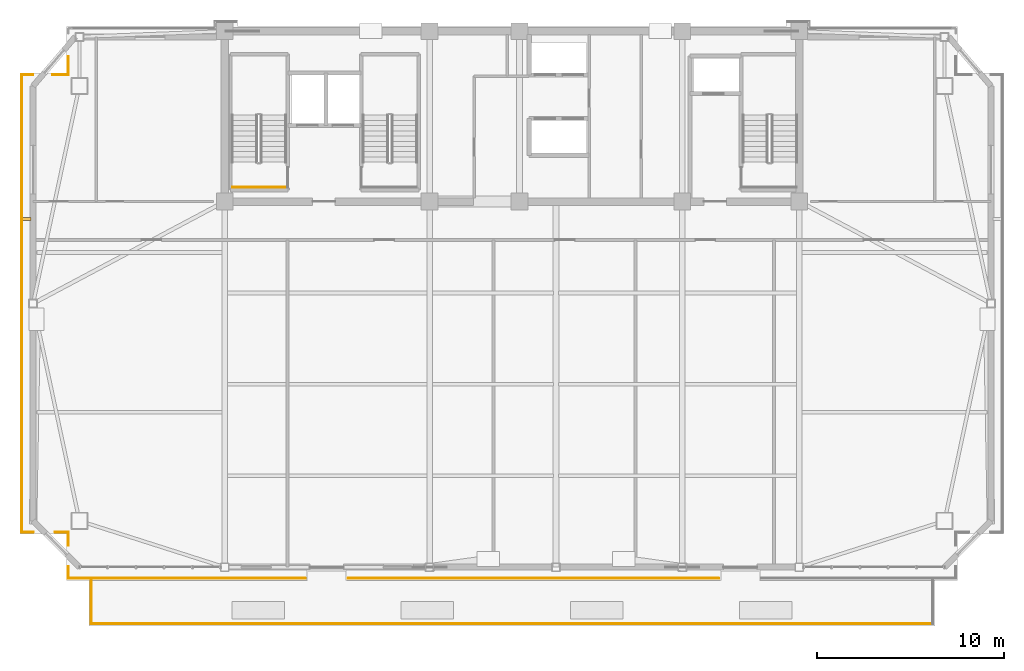
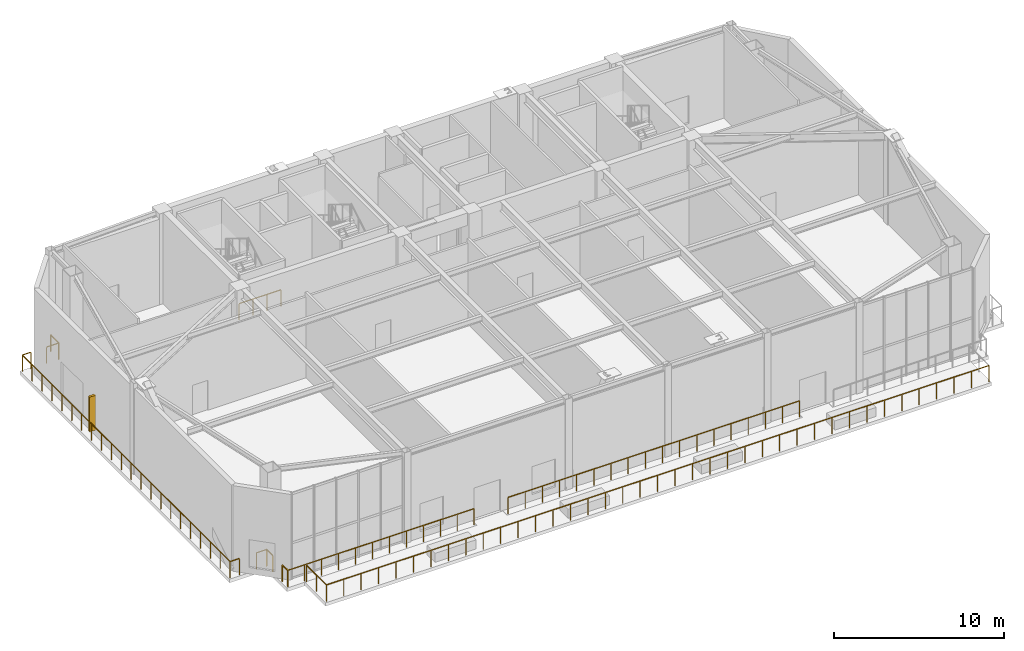
# One storey, part 12 of 15: 13 railings, 1 shading device.
"""IFC4 building model written with IfcOpenShell, lengths in metres."""

from ifc_helpers import new_model, si_unit, direction, frame, origin, origin_2d, place, context, subcontext, project, spatial, rectangle, extrude, source, transform, mapped, material, type_object, element, save


model = new_model("IFC4")

# Units and contexts
model_context = context("Model", 3, precision=1e-05, world=origin(), true_north=direction((0.0, 1.0)))
body_context = subcontext(model_context, "Body", "Model", "MODEL_VIEW")
ifc_project = project(units=[si_unit("LENGTHUNIT", "METRE"), si_unit("AREAUNIT", "SQUARE_METRE"), si_unit("VOLUMEUNIT", "CUBIC_METRE"), si_unit("PLANEANGLEUNIT", "RADIAN"), si_unit("MASSUNIT", "GRAM", prefix="KILO")], contexts=[model_context])

# Site, building, storey
site_placement = place(None, origin())
site = spatial("IfcSite", under=ifc_project, at=site_placement, CompositionType="ELEMENT")
building_placement = place(site_placement, origin())
building = spatial("IfcBuilding", under=site, at=building_placement, Name="Giltprow Tower", CompositionType="ELEMENT")
storey_placement = place(building_placement, frame((0.0, 0.0, 279.10009765625)))
storey = spatial("IfcBuildingStorey", under=building, at=storey_placement, Name="L72", CompositionType="ELEMENT", Elevation=279.10009765625)

# Railings
ifc_material = material(Name="Anodized bronze", Category="metal")
railing_type_1 = type_object("IfcRailingType", Name="RAIL-BALC-GUARD-1200", PredefinedType="BALUSTRADE", material=ifc_material)
railing_1_placement = place(storey_placement, frame((46.25, 17.30810546875, 0.0)))
element("IfcRailing", 1, at=railing_1_placement, inside=storey, type_object=railing_type_1, Name="L72 Corner Apron Edge Balustrade 7", PredefinedType="BALUSTRADE", context=body_context, shape_type="SweptSolid", body=[
    extrude(rectangle(XDim=0.048095703125, YDim=0.048095703125, at=origin_2d()), frame((0.0, 0.0, 1.17578125), z_axis=(-1.0, 0.0, 0.0), x_axis=(0.0, -1.0, 0.0)), (0.0, 0.0, 1.0), 19.800048828125),
    extrude(rectangle(XDim=0.0419921875, YDim=0.0419921875, at=origin_2d()), origin(), (0.0, 0.0, 1.0), 1.15185546875),
    extrude(rectangle(XDim=0.0419921875, YDim=0.0419921875, at=origin_2d()), frame((-1.164794921875, 0.0, 0.0)), (0.0, 0.0, 1.0), 1.15185546875),
    extrude(rectangle(XDim=0.0419921875, YDim=0.0419921875, at=origin_2d()), frame((-2.329345703125, 0.0, 0.0)), (0.0, 0.0, 1.0), 1.15185546875),
    extrude(rectangle(XDim=0.0419921875, YDim=0.0419921875, at=origin_2d()), frame((-3.494140625, 0.0, 0.0)), (0.0, 0.0, 1.0), 1.15185546875),
    extrude(rectangle(XDim=0.0419921875, YDim=0.0419921875, at=origin_2d()), frame((-4.658935546875, 0.0, 0.0)), (0.0, 0.0, 1.0), 1.15185546875),
    extrude(rectangle(XDim=0.0419921875, YDim=0.0419921875, at=origin_2d()), frame((-5.823486328125, 0.0, 0.0)), (0.0, 0.0, 1.0), 1.15185546875),
    extrude(rectangle(XDim=0.0419921875, YDim=0.0419921875, at=origin_2d()), frame((-6.98828125, 0.0, 0.0)), (0.0, 0.0, 1.0), 1.15185546875),
    extrude(rectangle(XDim=0.0419921875, YDim=0.0419921875, at=origin_2d()), frame((-8.153076171875, 0.0, 0.0)), (0.0, 0.0, 1.0), 1.15185546875),
    extrude(rectangle(XDim=0.0419921875, YDim=0.0419921875, at=origin_2d()), frame((-9.317626953125, 0.0, 0.0)), (0.0, 0.0, 1.0), 1.15185546875),
    extrude(rectangle(XDim=0.0419921875, YDim=0.0419921875, at=origin_2d()), frame((-10.482421875, 0.0, 0.0)), (0.0, 0.0, 1.0), 1.15185546875),
    extrude(rectangle(XDim=0.0419921875, YDim=0.0419921875, at=origin_2d()), frame((-11.64697265625, 0.0, 0.0)), (0.0, 0.0, 1.0), 1.15185546875),
    extrude(rectangle(XDim=0.0419921875, YDim=0.0419921875, at=origin_2d()), frame((-12.811767578125, 0.0, 0.0)), (0.0, 0.0, 1.0), 1.15185546875),
    extrude(rectangle(XDim=0.0419921875, YDim=0.0419921875, at=origin_2d()), frame((-13.9765625, 0.0, 0.0)), (0.0, 0.0, 1.0), 1.15185546875),
    extrude(rectangle(XDim=0.0419921875, YDim=0.0419921875, at=origin_2d()), frame((-15.14111328125, 0.0, 0.0)), (0.0, 0.0, 1.0), 1.15185546875),
    extrude(rectangle(XDim=0.0419921875, YDim=0.0419921875, at=origin_2d()), frame((-16.305908203125, 0.0, 0.0)), (0.0, 0.0, 1.0), 1.15185546875),
    extrude(rectangle(XDim=0.0419921875, YDim=0.0419921875, at=origin_2d()), frame((-17.470703125, 0.0, 0.0)), (0.0, 0.0, 1.0), 1.15185546875),
    extrude(rectangle(XDim=0.0419921875, YDim=0.0419921875, at=origin_2d()), frame((-18.63525390625, 0.0, 0.0)), (0.0, 0.0, 1.0), 1.15185546875),
    extrude(rectangle(XDim=0.0419921875, YDim=0.0419921875, at=origin_2d()), frame((-19.800048828125, 0.0, 0.0)), (0.0, 0.0, 1.0), 1.15185546875),
])
railing_2_placement = place(storey_placement, frame((24.14990234375, 17.30810546875, 0.0)))
element("IfcRailing", 2, at=railing_2_placement, inside=storey, type_object=railing_type_1, Name="L72 Corner Apron Edge Balustrade 8", PredefinedType="BALUSTRADE", context=body_context, shape_type="SweptSolid", body=[
    extrude(rectangle(XDim=0.048095703125, YDim=0.048095703125, at=origin_2d()), frame((0.0, 0.0, 1.17578125), z_axis=(-1.0, 0.0, 0.0), x_axis=(0.0, -1.0, 0.0)), (0.0, 0.0, 1.0), 12.663818359375),
    extrude(rectangle(XDim=0.0419921875, YDim=0.0419921875, at=origin_2d()), origin(), (0.0, 0.0, 1.0), 1.15185546875),
    extrude(rectangle(XDim=0.0419921875, YDim=0.0419921875, at=origin_2d()), frame((-1.1513671875, 0.0, 0.0)), (0.0, 0.0, 1.0), 1.15185546875),
    extrude(rectangle(XDim=0.0419921875, YDim=0.0419921875, at=origin_2d()), frame((-2.302490234375, 0.0, 0.0)), (0.0, 0.0, 1.0), 1.15185546875),
    extrude(rectangle(XDim=0.0419921875, YDim=0.0419921875, at=origin_2d()), frame((-3.453857421875, 0.0, 0.0)), (0.0, 0.0, 1.0), 1.15185546875),
    extrude(rectangle(XDim=0.0419921875, YDim=0.0419921875, at=origin_2d()), frame((-4.60498046875, 0.0, 0.0)), (0.0, 0.0, 1.0), 1.15185546875),
    extrude(rectangle(XDim=0.0419921875, YDim=0.0419921875, at=origin_2d()), frame((-5.75634765625, 0.0, 0.0)), (0.0, 0.0, 1.0), 1.15185546875),
    extrude(rectangle(XDim=0.0419921875, YDim=0.0419921875, at=origin_2d()), frame((-6.907470703125, 0.0, 0.0)), (0.0, 0.0, 1.0), 1.15185546875),
    extrude(rectangle(XDim=0.0419921875, YDim=0.0419921875, at=origin_2d()), frame((-8.058837890625, 0.0, 0.0)), (0.0, 0.0, 1.0), 1.15185546875),
    extrude(rectangle(XDim=0.0419921875, YDim=0.0419921875, at=origin_2d()), frame((-9.2099609375, 0.0, 0.0)), (0.0, 0.0, 1.0), 1.15185546875),
    extrude(rectangle(XDim=0.0419921875, YDim=0.0419921875, at=origin_2d()), frame((-10.361328125, 0.0, 0.0)), (0.0, 0.0, 1.0), 1.15185546875),
    extrude(rectangle(XDim=0.0419921875, YDim=0.0419921875, at=origin_2d()), frame((-11.512451171875, 0.0, 0.0)), (0.0, 0.0, 1.0), 1.15185546875),
    extrude(rectangle(XDim=0.0419921875, YDim=0.0419921875, at=origin_2d()), frame((-12.663818359375, 0.0, 0.0)), (0.0, 0.0, 1.0), 1.15185546875),
])
railing_3_placement = place(storey_placement, frame((11.486083984375, 17.30810546875, 0.0)))
element("IfcRailing", 3, at=railing_3_placement, inside=storey, type_object=railing_type_1, Name="L72 Corner Apron Edge Balustrade 9", PredefinedType="BALUSTRADE", context=body_context, shape_type="SweptSolid", body=[
    extrude(rectangle(XDim=0.048095703125, YDim=0.048095703125, at=origin_2d()), frame((0.0, 0.0, 1.17578125), z_axis=(0.0, 1.0, 0.0), x_axis=(-1.0, 0.0, 0.0)), (0.0, 0.0, 1.0), 0.619873046875),
    extrude(rectangle(XDim=0.0419921875, YDim=0.0419921875, at=origin_2d()), origin(), (0.0, 0.0, 1.0), 1.15185546875),
    extrude(rectangle(XDim=0.0419921875, YDim=0.0419921875, at=origin_2d()), frame((0.0, 0.619873046875, 0.0)), (0.0, 0.0, 1.0), 1.15185546875),
])
railing_4_placement = place(storey_placement, frame((11.486083984375, 19.087890625, 0.0)))
element("IfcRailing", 4, at=railing_4_placement, inside=storey, type_object=railing_type_1, Name="L72 Corner Apron Edge Balustrade 10", PredefinedType="BALUSTRADE", context=body_context, shape_type="SweptSolid", body=[
    extrude(rectangle(XDim=0.048095703125, YDim=0.048095703125, at=origin_2d()), frame((0.0, 0.0, 1.17578125), z_axis=(0.0, 1.0, 0.0), x_axis=(-1.0, 0.0, 0.0)), (0.0, 0.0, 1.0), 0.697021484375),
    extrude(rectangle(XDim=0.0419921875, YDim=0.0419921875, at=origin_2d()), origin(), (0.0, 0.0, 1.0), 1.15185546875),
    extrude(rectangle(XDim=0.0419921875, YDim=0.0419921875, at=origin_2d()), frame((0.0, 0.697021484375, 0.0)), (0.0, 0.0, 1.0), 1.15185546875),
])
railing_5_placement = place(storey_placement, frame((11.486083984375, 19.784912109375, 0.0)))
element("IfcRailing", 5, at=railing_5_placement, inside=storey, type_object=railing_type_1, Name="L72 Corner Apron Edge Balustrade 11", PredefinedType="BALUSTRADE", context=body_context, shape_type="SweptSolid", body=[
    extrude(rectangle(XDim=0.048095703125, YDim=0.048095703125, at=origin_2d()), frame((0.0, 0.0, 1.17578125), z_axis=(-1.0, 0.0, 0.0), x_axis=(0.0, -1.0, 0.0)), (0.0, 0.0, 1.0), 0.697021484375),
    extrude(rectangle(XDim=0.0419921875, YDim=0.0419921875, at=origin_2d()), origin(), (0.0, 0.0, 1.0), 1.15185546875),
    extrude(rectangle(XDim=0.0419921875, YDim=0.0419921875, at=origin_2d()), frame((-0.697021484375, 0.0, 0.0)), (0.0, 0.0, 1.0), 1.15185546875),
])
railing_6_placement = place(storey_placement, frame((9.62890625, 19.784912109375, 0.0)))
element("IfcRailing", 6, at=railing_6_placement, inside=storey, type_object=railing_type_1, Name="L72 Corner Apron Edge Balustrade 12", PredefinedType="BALUSTRADE", context=body_context, shape_type="SweptSolid", body=[
    extrude(rectangle(XDim=0.048095703125, YDim=0.048095703125, at=origin_2d()), frame((0.0, 0.0, 1.17578125), z_axis=(-1.0, 0.0, 0.0), x_axis=(0.0, -1.0, 0.0)), (0.0, 0.0, 1.0), 0.619873046875),
    extrude(rectangle(XDim=0.0419921875, YDim=0.0419921875, at=origin_2d()), origin(), (0.0, 0.0, 1.0), 1.15185546875),
    extrude(rectangle(XDim=0.0419921875, YDim=0.0419921875, at=origin_2d()), frame((-0.619873046875, 0.0, 0.0)), (0.0, 0.0, 1.0), 1.15185546875),
])
railing_7_placement = place(storey_placement, frame((9.009033203125, 19.784912109375, 0.0)))
element("IfcRailing", 7, at=railing_7_placement, inside=storey, type_object=railing_type_1, Name="L72 Corner Apron Edge Balustrade 13", PredefinedType="BALUSTRADE", context=body_context, shape_type="SweptSolid", body=[
    extrude(rectangle(XDim=0.048095703125, YDim=0.048095703125, at=origin_2d()), frame((0.0, 0.0, 1.17578125), z_axis=(0.0, 1.0, 0.0), x_axis=(-1.0, 0.0, 0.0)), (0.0, 0.0, 1.0), 24.43701171875),
    extrude(rectangle(XDim=0.0419921875, YDim=0.0419921875, at=origin_2d()), origin(), (0.0, 0.0, 1.0), 1.15185546875),
    extrude(rectangle(XDim=0.0419921875, YDim=0.0419921875, at=origin_2d()), frame((0.0, 1.16357421875, 0.0)), (0.0, 0.0, 1.0), 1.15185546875),
    extrude(rectangle(XDim=0.0419921875, YDim=0.0419921875, at=origin_2d()), frame((0.0, 2.327392578125, 0.0)), (0.0, 0.0, 1.0), 1.15185546875),
    extrude(rectangle(XDim=0.0419921875, YDim=0.0419921875, at=origin_2d()), frame((0.0, 3.490966796875, 0.0)), (0.0, 0.0, 1.0), 1.15185546875),
    extrude(rectangle(XDim=0.0419921875, YDim=0.0419921875, at=origin_2d()), frame((0.0, 4.65478515625, 0.0)), (0.0, 0.0, 1.0), 1.15185546875),
    extrude(rectangle(XDim=0.0419921875, YDim=0.0419921875, at=origin_2d()), frame((0.0, 5.818359375, 0.0)), (0.0, 0.0, 1.0), 1.15185546875),
    extrude(rectangle(XDim=0.0419921875, YDim=0.0419921875, at=origin_2d()), frame((0.0, 6.98193359375, 0.0)), (0.0, 0.0, 1.0), 1.15185546875),
    extrude(rectangle(XDim=0.0419921875, YDim=0.0419921875, at=origin_2d()), frame((0.0, 8.145751953125, 0.0)), (0.0, 0.0, 1.0), 1.15185546875),
    extrude(rectangle(XDim=0.0419921875, YDim=0.0419921875, at=origin_2d()), frame((0.0, 9.309326171875, 0.0)), (0.0, 0.0, 1.0), 1.15185546875),
    extrude(rectangle(XDim=0.0419921875, YDim=0.0419921875, at=origin_2d()), frame((0.0, 10.472900390625, 0.0)), (0.0, 0.0, 1.0), 1.15185546875),
    extrude(rectangle(XDim=0.0419921875, YDim=0.0419921875, at=origin_2d()), frame((0.0, 11.63671875, 0.0)), (0.0, 0.0, 1.0), 1.15185546875),
    extrude(rectangle(XDim=0.0419921875, YDim=0.0419921875, at=origin_2d()), frame((0.0, 12.80029296875, 0.0)), (0.0, 0.0, 1.0), 1.15185546875),
    extrude(rectangle(XDim=0.0419921875, YDim=0.0419921875, at=origin_2d()), frame((0.0, 13.964111328125, 0.0)), (0.0, 0.0, 1.0), 1.15185546875),
    extrude(rectangle(XDim=0.0419921875, YDim=0.0419921875, at=origin_2d()), frame((0.0, 15.127685546875, 0.0)), (0.0, 0.0, 1.0), 1.15185546875),
    extrude(rectangle(XDim=0.0419921875, YDim=0.0419921875, at=origin_2d()), frame((0.0, 16.291259765625, 0.0)), (0.0, 0.0, 1.0), 1.15185546875),
    extrude(rectangle(XDim=0.0419921875, YDim=0.0419921875, at=origin_2d()), frame((0.0, 17.455078125, 0.0)), (0.0, 0.0, 1.0), 1.15185546875),
    extrude(rectangle(XDim=0.0419921875, YDim=0.0419921875, at=origin_2d()), frame((0.0, 18.61865234375, 0.0)), (0.0, 0.0, 1.0), 1.15185546875),
    extrude(rectangle(XDim=0.0419921875, YDim=0.0419921875, at=origin_2d()), frame((0.0, 19.7822265625, 0.0)), (0.0, 0.0, 1.0), 1.15185546875),
    extrude(rectangle(XDim=0.0419921875, YDim=0.0419921875, at=origin_2d()), frame((0.0, 20.946044921875, 0.0)), (0.0, 0.0, 1.0), 1.15185546875),
    extrude(rectangle(XDim=0.0419921875, YDim=0.0419921875, at=origin_2d()), frame((0.0, 22.109619140625, 0.0)), (0.0, 0.0, 1.0), 1.15185546875),
    extrude(rectangle(XDim=0.0419921875, YDim=0.0419921875, at=origin_2d()), frame((0.0, 23.2734375, 0.0)), (0.0, 0.0, 1.0), 1.15185546875),
    extrude(rectangle(XDim=0.0419921875, YDim=0.0419921875, at=origin_2d()), frame((0.0, 24.43701171875, 0.0)), (0.0, 0.0, 1.0), 1.15185546875),
])
railing_8_placement = place(storey_placement, frame((9.009033203125, 44.221923828125, 0.0)))
element("IfcRailing", 8, at=railing_8_placement, inside=storey, type_object=railing_type_1, Name="L72 Corner Apron Edge Balustrade 14", PredefinedType="BALUSTRADE", context=body_context, shape_type="SweptSolid", body=[
    extrude(rectangle(XDim=0.048095703125, YDim=0.048095703125, at=origin_2d()), frame((0.0, 0.0, 1.17578125), z_axis=(1.0, 0.0, 0.0), x_axis=(0.0, 1.0, 0.0)), (0.0, 0.0, 1.0), 0.573974609375),
    extrude(rectangle(XDim=0.0419921875, YDim=0.0419921875, at=origin_2d()), origin(), (0.0, 0.0, 1.0), 1.15185546875),
    extrude(rectangle(XDim=0.0419921875, YDim=0.0419921875, at=origin_2d()), frame((0.573974609375, 0.0, 0.0)), (0.0, 0.0, 1.0), 1.15185546875),
])
railing_9_placement = place(storey_placement, frame((10.6630859375, 44.221923828125, 0.0)))
element("IfcRailing", 9, at=railing_9_placement, inside=storey, type_object=railing_type_1, Name="L72 Corner Apron Edge Balustrade 15", PredefinedType="BALUSTRADE", context=body_context, shape_type="SweptSolid", body=[
    extrude(rectangle(XDim=0.048095703125, YDim=0.048095703125, at=origin_2d()), frame((0.0, 0.0, 1.17578125), z_axis=(1.0, 0.0, 0.0), x_axis=(0.0, 1.0, 0.0)), (0.0, 0.0, 1.0), 0.822998046875),
    extrude(rectangle(XDim=0.0419921875, YDim=0.0419921875, at=origin_2d()), origin(), (0.0, 0.0, 1.0), 1.15185546875),
    extrude(rectangle(XDim=0.0419921875, YDim=0.0419921875, at=origin_2d()), frame((0.822998046875, 0.0, 0.0)), (0.0, 0.0, 1.0), 1.15185546875),
])
railing_10_placement = place(storey_placement, frame((11.486083984375, 44.221923828125, 0.0)))
element("IfcRailing", 10, at=railing_10_placement, inside=storey, type_object=railing_type_1, Name="L72 Corner Apron Edge Balustrade 16", PredefinedType="BALUSTRADE", context=body_context, shape_type="SweptSolid", body=[
    extrude(rectangle(XDim=0.048095703125, YDim=0.048095703125, at=origin_2d()), frame((0.0, 0.0, 1.17578125), z_axis=(0.0, 1.0, 0.0), x_axis=(-1.0, 0.0, 0.0)), (0.0, 0.0, 1.0), 0.9599609375),
    extrude(rectangle(XDim=0.0419921875, YDim=0.0419921875, at=origin_2d()), origin(), (0.0, 0.0, 1.0), 1.15185546875),
    extrude(rectangle(XDim=0.0419921875, YDim=0.0419921875, at=origin_2d()), frame((0.0, 0.9599609375, 0.0)), (0.0, 0.0, 1.0), 1.15185546875),
])
railing_type_2 = type_object("IfcRailingType", Name="RAIL-STAIR-GUARD-1200", PredefinedType="GUARDRAIL", material=ifc_material)
railing_11_placement = place(storey_placement, frame((20.260009765625, 38.2099609375, 3.39990234375)))
element("IfcRailing", 11, at=railing_11_placement, inside=storey, type_object=railing_type_2, Name="L72 ST-1 Mid-Landing Guard 2", PredefinedType="GUARDRAIL", context=body_context, shape_type="SweptSolid", body=[
    extrude(rectangle(XDim=0.048095703125, YDim=0.048095703125, at=origin_2d()), frame((0.0, 0.0, 1.17578125), z_axis=(1.0, 0.0, 0.0), x_axis=(0.0, 1.0, 0.0)), (0.0, 0.0, 1.0), 2.840087890625),
    extrude(rectangle(XDim=0.0419921875, YDim=0.0419921875, at=origin_2d()), origin(), (0.0, 0.0, 1.0), 1.15185546875),
    extrude(rectangle(XDim=0.0419921875, YDim=0.0419921875, at=origin_2d()), frame((0.94677734375, 0.0, 0.0)), (0.0, 0.0, 1.0), 1.15185546875),
    extrude(rectangle(XDim=0.0419921875, YDim=0.0419921875, at=origin_2d()), frame((1.893310546875, 0.0, 0.0)), (0.0, 0.0, 1.0), 1.15185546875),
    extrude(rectangle(XDim=0.0419921875, YDim=0.0419921875, at=origin_2d()), frame((2.840087890625, 0.0, 0.0)), (0.0, 0.0, 1.0), 1.15185546875),
])
railing_type_3 = type_object("IfcRailingType", Name="RAIL-TERR-BAL-1200", PredefinedType="BALUSTRADE", material=ifc_material)
railing_12_placement = place(storey_placement, frame((12.7060546875, 17.2080078125, 0.0)))
element("IfcRailing", 12, at=railing_12_placement, inside=storey, type_object=railing_type_3, Name="L72 Sky Garden Guardrail Seg 1", PredefinedType="BALUSTRADE", context=body_context, shape_type="SweptSolid", body=[
    extrude(rectangle(XDim=0.048095703125, YDim=0.048095703125, at=origin_2d()), frame((0.0, 0.0, 1.17578125), z_axis=(0.0, -1.0, 0.0), x_axis=(1.0, 0.0, 0.0)), (0.0, 0.0, 1.0), 2.330078125),
    extrude(rectangle(XDim=0.0419921875, YDim=0.0419921875, at=origin_2d()), origin(), (0.0, 0.0, 1.0), 1.15185546875),
    extrude(rectangle(XDim=0.0419921875, YDim=0.0419921875, at=origin_2d()), frame((0.0, -1.1650390625, 0.0)), (0.0, 0.0, 1.0), 1.15185546875),
    extrude(rectangle(XDim=0.0419921875, YDim=0.0419921875, at=origin_2d()), frame((0.0, -2.330078125, 0.0)), (0.0, 0.0, 1.0), 1.15185546875),
])
railing_13_placement = place(storey_placement, frame((12.7060546875, 14.8779296875, 0.0)))
element("IfcRailing", 13, at=railing_13_placement, inside=storey, type_object=railing_type_3, Name="L72 Sky Garden Guardrail Seg 2", PredefinedType="BALUSTRADE", context=body_context, shape_type="SweptSolid", body=[
    extrude(rectangle(XDim=0.048095703125, YDim=0.048095703125, at=origin_2d()), frame((0.0, 0.0, 1.17578125), z_axis=(1.0, 0.0, 0.0), x_axis=(0.0, 1.0, 0.0)), (0.0, 0.0, 1.0), 44.988037109375),
    extrude(rectangle(XDim=0.0419921875, YDim=0.0419921875, at=origin_2d()), origin(), (0.0, 0.0, 1.0), 1.15185546875),
    extrude(rectangle(XDim=0.0419921875, YDim=0.0419921875, at=origin_2d()), frame((1.183837890625, 0.0, 0.0)), (0.0, 0.0, 1.0), 1.15185546875),
    extrude(rectangle(XDim=0.0419921875, YDim=0.0419921875, at=origin_2d()), frame((2.36767578125, 0.0, 0.0)), (0.0, 0.0, 1.0), 1.15185546875),
    extrude(rectangle(XDim=0.0419921875, YDim=0.0419921875, at=origin_2d()), frame((3.5517578125, 0.0, 0.0)), (0.0, 0.0, 1.0), 1.15185546875),
    extrude(rectangle(XDim=0.0419921875, YDim=0.0419921875, at=origin_2d()), frame((4.735595703125, 0.0, 0.0)), (0.0, 0.0, 1.0), 1.15185546875),
    extrude(rectangle(XDim=0.0419921875, YDim=0.0419921875, at=origin_2d()), frame((5.91943359375, 0.0, 0.0)), (0.0, 0.0, 1.0), 1.15185546875),
    extrude(rectangle(XDim=0.0419921875, YDim=0.0419921875, at=origin_2d()), frame((7.103271484375, 0.0, 0.0)), (0.0, 0.0, 1.0), 1.15185546875),
    extrude(rectangle(XDim=0.0419921875, YDim=0.0419921875, at=origin_2d()), frame((8.287353515625, 0.0, 0.0)), (0.0, 0.0, 1.0), 1.15185546875),
    extrude(rectangle(XDim=0.0419921875, YDim=0.0419921875, at=origin_2d()), frame((9.47119140625, 0.0, 0.0)), (0.0, 0.0, 1.0), 1.15185546875),
    extrude(rectangle(XDim=0.0419921875, YDim=0.0419921875, at=origin_2d()), frame((10.655029296875, 0.0, 0.0)), (0.0, 0.0, 1.0), 1.15185546875),
    extrude(rectangle(XDim=0.0419921875, YDim=0.0419921875, at=origin_2d()), frame((11.8388671875, 0.0, 0.0)), (0.0, 0.0, 1.0), 1.15185546875),
    extrude(rectangle(XDim=0.0419921875, YDim=0.0419921875, at=origin_2d()), frame((13.02294921875, 0.0, 0.0)), (0.0, 0.0, 1.0), 1.15185546875),
    extrude(rectangle(XDim=0.0419921875, YDim=0.0419921875, at=origin_2d()), frame((14.206787109375, 0.0, 0.0)), (0.0, 0.0, 1.0), 1.15185546875),
    extrude(rectangle(XDim=0.0419921875, YDim=0.0419921875, at=origin_2d()), frame((15.390625, 0.0, 0.0)), (0.0, 0.0, 1.0), 1.15185546875),
    extrude(rectangle(XDim=0.0419921875, YDim=0.0419921875, at=origin_2d()), frame((16.574462890625, 0.0, 0.0)), (0.0, 0.0, 1.0), 1.15185546875),
    extrude(rectangle(XDim=0.0419921875, YDim=0.0419921875, at=origin_2d()), frame((17.758544921875, 0.0, 0.0)), (0.0, 0.0, 1.0), 1.15185546875),
    extrude(rectangle(XDim=0.0419921875, YDim=0.0419921875, at=origin_2d()), frame((18.9423828125, 0.0, 0.0)), (0.0, 0.0, 1.0), 1.15185546875),
    extrude(rectangle(XDim=0.0419921875, YDim=0.0419921875, at=origin_2d()), frame((20.126220703125, 0.0, 0.0)), (0.0, 0.0, 1.0), 1.15185546875),
    extrude(rectangle(XDim=0.0419921875, YDim=0.0419921875, at=origin_2d()), frame((21.31005859375, 0.0, 0.0)), (0.0, 0.0, 1.0), 1.15185546875),
    extrude(rectangle(XDim=0.0419921875, YDim=0.0419921875, at=origin_2d()), frame((22.494140625, 0.0, 0.0)), (0.0, 0.0, 1.0), 1.15185546875),
    extrude(rectangle(XDim=0.0419921875, YDim=0.0419921875, at=origin_2d()), frame((23.677978515625, 0.0, 0.0)), (0.0, 0.0, 1.0), 1.15185546875),
    extrude(rectangle(XDim=0.0419921875, YDim=0.0419921875, at=origin_2d()), frame((24.86181640625, 0.0, 0.0)), (0.0, 0.0, 1.0), 1.15185546875),
    extrude(rectangle(XDim=0.0419921875, YDim=0.0419921875, at=origin_2d()), frame((26.045654296875, 0.0, 0.0)), (0.0, 0.0, 1.0), 1.15185546875),
    extrude(rectangle(XDim=0.0419921875, YDim=0.0419921875, at=origin_2d()), frame((27.2294921875, 0.0, 0.0)), (0.0, 0.0, 1.0), 1.15185546875),
    extrude(rectangle(XDim=0.0419921875, YDim=0.0419921875, at=origin_2d()), frame((28.41357421875, 0.0, 0.0)), (0.0, 0.0, 1.0), 1.15185546875),
    extrude(rectangle(XDim=0.0419921875, YDim=0.0419921875, at=origin_2d()), frame((29.597412109375, 0.0, 0.0)), (0.0, 0.0, 1.0), 1.15185546875),
    extrude(rectangle(XDim=0.0419921875, YDim=0.0419921875, at=origin_2d()), frame((30.78125, 0.0, 0.0)), (0.0, 0.0, 1.0), 1.15185546875),
    extrude(rectangle(XDim=0.0419921875, YDim=0.0419921875, at=origin_2d()), frame((31.965087890625, 0.0, 0.0)), (0.0, 0.0, 1.0), 1.15185546875),
    extrude(rectangle(XDim=0.0419921875, YDim=0.0419921875, at=origin_2d()), frame((33.149169921875, 0.0, 0.0)), (0.0, 0.0, 1.0), 1.15185546875),
    extrude(rectangle(XDim=0.0419921875, YDim=0.0419921875, at=origin_2d()), frame((34.3330078125, 0.0, 0.0)), (0.0, 0.0, 1.0), 1.15185546875),
    extrude(rectangle(XDim=0.0419921875, YDim=0.0419921875, at=origin_2d()), frame((35.516845703125, 0.0, 0.0)), (0.0, 0.0, 1.0), 1.15185546875),
    extrude(rectangle(XDim=0.0419921875, YDim=0.0419921875, at=origin_2d()), frame((36.70068359375, 0.0, 0.0)), (0.0, 0.0, 1.0), 1.15185546875),
    extrude(rectangle(XDim=0.0419921875, YDim=0.0419921875, at=origin_2d()), frame((37.884765625, 0.0, 0.0)), (0.0, 0.0, 1.0), 1.15185546875),
    extrude(rectangle(XDim=0.0419921875, YDim=0.0419921875, at=origin_2d()), frame((39.068603515625, 0.0, 0.0)), (0.0, 0.0, 1.0), 1.15185546875),
    extrude(rectangle(XDim=0.0419921875, YDim=0.0419921875, at=origin_2d()), frame((40.25244140625, 0.0, 0.0)), (0.0, 0.0, 1.0), 1.15185546875),
    extrude(rectangle(XDim=0.0419921875, YDim=0.0419921875, at=origin_2d()), frame((41.436279296875, 0.0, 0.0)), (0.0, 0.0, 1.0), 1.15185546875),
    extrude(rectangle(XDim=0.0419921875, YDim=0.0419921875, at=origin_2d()), frame((42.620361328125, 0.0, 0.0)), (0.0, 0.0, 1.0), 1.15185546875),
    extrude(rectangle(XDim=0.0419921875, YDim=0.0419921875, at=origin_2d()), frame((43.80419921875, 0.0, 0.0)), (0.0, 0.0, 1.0), 1.15185546875),
    extrude(rectangle(XDim=0.0419921875, YDim=0.0419921875, at=origin_2d()), frame((44.988037109375, 0.0, 0.0)), (0.0, 0.0, 1.0), 1.15185546875),
])

# Shading device
shading_device_type = type_object("IfcShadingDeviceType", Name="SHD-FIN-420", PredefinedType="USERDEFINED", material=ifc_material)
shared_shape = source(origin(), body_context, "Body", "SweptSolid", [
    extrude(rectangle(XDim=0.419921875, YDim=0.159912109375, at=origin_2d()), origin(), (0.0, 0.0, 1.0), 2.5),
])
shading_device_placement = place(storey_placement, frame((9.2890625, 36.506103515625, 0.349853515625), z_axis=(0.0, 0.0, 1.0), x_axis=(1.0, 0.0, 0.0)))
element("IfcShadingDevice", 14, at=shading_device_placement, inside=storey, type_object=shading_device_type, Name="L72 W Bronze Vertical Fin 2-1", ObjectType="FIN", PredefinedType="USERDEFINED", context=body_context, shape_type="MappedRepresentation", body=[
    mapped(shared_shape, transform((0.0, 0.0, 0.0), x_axis=(1.0, 0.0, 0.0), y_axis=(0.0, 1.0, 0.0), z_axis=(0.0, 0.0, 1.0), scale=1.0)),
])

save(model, "model.ifc")
